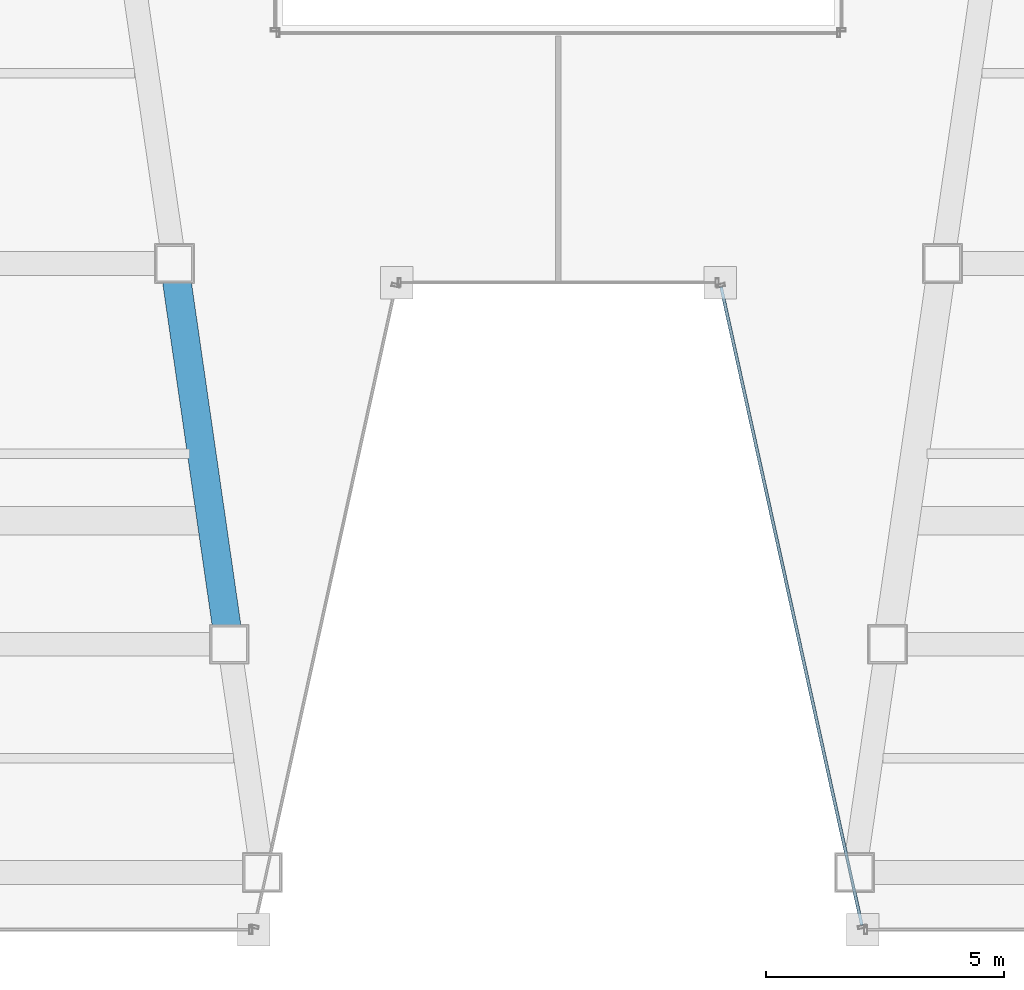
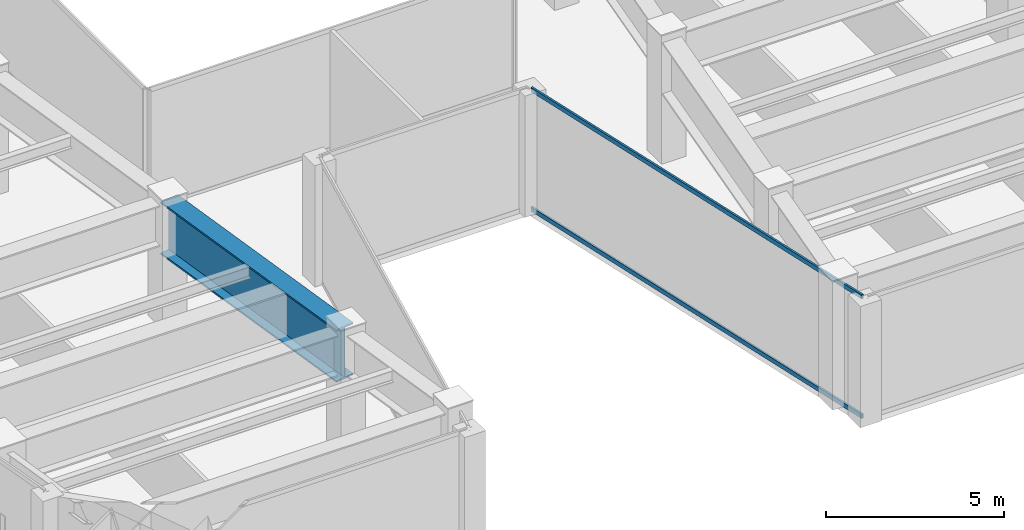
# One storey, part 8 of 40: 2 members, 1 beam, 1 element without a shape of its own.
"""IFC4 building model written with IfcOpenShell, lengths in metres."""

from ifc_helpers import new_model, si_unit, direction, frame, origin, origin_2d, place, context, subcontext, project, spatial, hollow_rectangle, i_section, extrude, material, material_profile, profile_set, type_object, element, aggregate, save


model = new_model("IFC4")

# Units and contexts
model_context = context("Model", 3, precision=1e-05, world=origin(), true_north=direction((0.0, 1.0)))
body_context = subcontext(model_context, "Body", "Model", "MODEL_VIEW")
ifc_project = project(units=[si_unit("LENGTHUNIT", "METRE"), si_unit("AREAUNIT", "SQUARE_METRE"), si_unit("VOLUMEUNIT", "CUBIC_METRE"), si_unit("PLANEANGLEUNIT", "RADIAN"), si_unit("MASSUNIT", "GRAM", prefix="KILO")], contexts=[model_context])

# Site, building, storey
site_placement = place(None, origin())
site = spatial("IfcSite", under=ifc_project, at=site_placement, CompositionType="ELEMENT")
building_placement = place(site_placement, origin())
building = spatial("IfcBuilding", under=site, at=building_placement, Name="Saevonmaru Cultural Tower", CompositionType="ELEMENT")
storey_placement = place(building_placement, frame((0.0, 0.0, 97.199951171875)))
storey = spatial("IfcBuildingStorey", under=building, at=storey_placement, Name="L20", CompositionType="ELEMENT", Elevation=97.199951171875)

# Beam
ifc_material_1 = material(Name="Steel HSA600 (600 MPa)", Category="steel")
ifc_material_profile_1 = material_profile(ifc_material_1, i_section(OverallWidth=0.60009765625, OverallDepth=1.800048828125, WebThickness=0.028076171875, FlangeThickness=0.054931640625, at=origin_2d()), Name="PG-1800x600x28x55")
ifc_profile_set_1 = profile_set([ifc_material_profile_1], Name="Steel HSA600 (600 MPa)")
beam_type = type_object("IfcBeamType", Name="BM-TG-PG1800", PredefinedType="BEAM", material=ifc_profile_set_1)
beam_placement = place(storey_placement, frame((23.074462890625, 8.059326171875, 3.25), z_axis=(-0.142902032203, 0.989736838353, 0.0), x_axis=(-0.989736838353, -0.142902032203, 0.0)))
element("IfcBeam", 1, at=beam_placement, inside=storey, type_object=beam_type, Name="L20 West Atrium Girder 2", PredefinedType="BEAM", context=body_context, shape_type="SweptSolid", body=[
    extrude(i_section(OverallWidth=0.60009765625, OverallDepth=1.800048828125, WebThickness=0.028076171875, FlangeThickness=0.054931640625, at=origin_2d()), origin(), (0.0, 0.0, 1.0), 7.963134765625),
])

# Curtain wall, members
ifc_material_2 = material(Name="Satin Bronze Anodised Aluminium", Category="aluminium")
curtain_wall_type = type_object("IfcCurtainWallType", Name="CW-TYP-A", PredefinedType="NOTDEFINED", material=ifc_material_2)
curtain_wall_placement = place(storey_placement, origin())
curtain_wall = element("IfcCurtainWall", 2, at=curtain_wall_placement, inside=storey, type_object=curtain_wall_type, Name="L20 Unitised Curtain Wall E5", PredefinedType="NOTDEFINED")
ifc_material_profile_2 = material_profile(ifc_material_2, hollow_rectangle(XDim=0.06494140625, YDim=0.14990234375, WallThickness=0.00390625, at=origin_2d()), Name="ALU-TRAN-150x65x4")
ifc_profile_set_2 = profile_set([ifc_material_profile_2], Name="Satin Bronze Anodised Aluminium")
member_type = type_object("IfcMemberType", Name="TR-CW-150x65", PredefinedType="USERDEFINED", material=ifc_profile_set_2)
member_1_placement = place(storey_placement, frame((33.419921875, 15.509765625, 0.032470703125), z_axis=(0.21541214732, -0.976523223885, 0.0), x_axis=(0.976523223885, 0.21541214732, 0.0)))
member_1 = element("IfcMember", 3, at=member_1_placement, type_object=member_type, Name="CW-TW-L20-E5 transom 1.1", ObjectType="TRANSOM", PredefinedType="USERDEFINED", context=body_context, shape_type="SweptSolid", body=[
    extrude(hollow_rectangle(XDim=0.06494140625, YDim=0.14990234375, WallThickness=0.00390625, at=origin_2d()), origin(), (0.0, 0.0, 1.0), 13.741943359375),
])
member_2_placement = place(storey_placement, frame((33.419921875, 15.509765625, 4.117431640625), z_axis=(0.21541214732, -0.976523223885, 0.0), x_axis=(0.976523223885, 0.21541214732, 0.0)))
member_2 = element("IfcMember", 4, at=member_2_placement, type_object=member_type, Name="CW-TW-L20-E5 transom 1.2", ObjectType="TRANSOM", PredefinedType="USERDEFINED", context=body_context, shape_type="SweptSolid", body=[
    extrude(hollow_rectangle(XDim=0.06494140625, YDim=0.14990234375, WallThickness=0.00390625, at=origin_2d()), origin(), (0.0, 0.0, 1.0), 13.741943359375),
])
aggregate(curtain_wall, [member_1, member_2])

save(model, "model.ifc")
